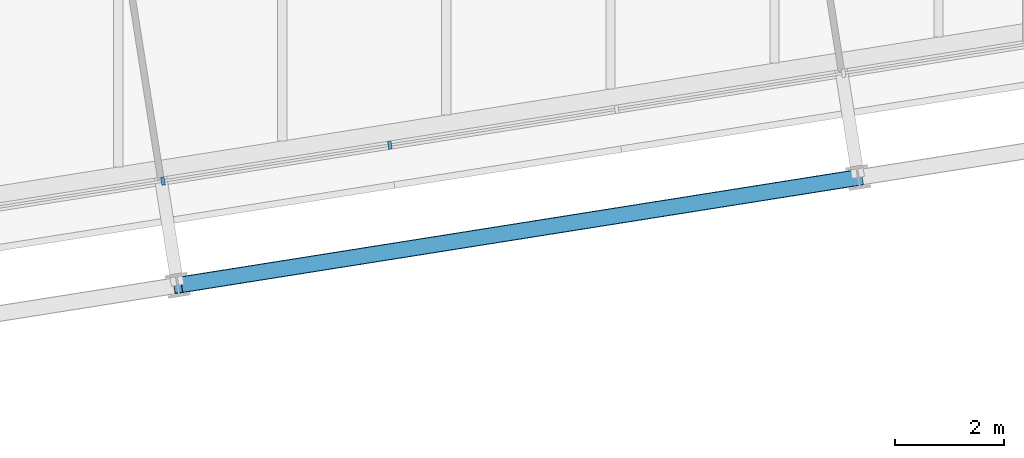
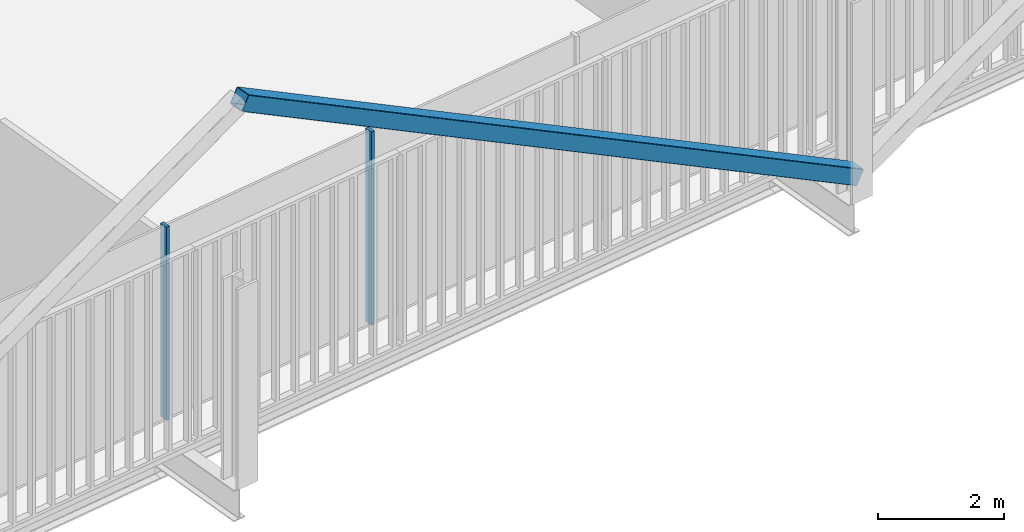
# One storey, part 3 of 21: 3 members, 1 element without a shape of its own.
"""IFC4 building model written with IfcOpenShell, lengths in metres."""

from ifc_helpers import new_model, si_unit, direction, frame, origin, origin_2d, place, context, subcontext, project, spatial, rectangle, hollow_rectangle, extrude, material, layer, layer_set, material_profile, profile_set, type_object, element, aggregate, save


model = new_model("IFC4")

# Units and contexts
model_context = context("Model", 3, precision=1e-05, world=origin(), true_north=direction((0.0, 1.0)))
body_context = subcontext(model_context, "Body", "Model", "MODEL_VIEW")
ifc_project = project(units=[si_unit("LENGTHUNIT", "METRE"), si_unit("AREAUNIT", "SQUARE_METRE"), si_unit("VOLUMEUNIT", "CUBIC_METRE"), si_unit("PLANEANGLEUNIT", "RADIAN"), si_unit("MASSUNIT", "GRAM", prefix="KILO")], contexts=[model_context])

# Site, building, storey
site_placement = place(None, origin())
site = spatial("IfcSite", under=ifc_project, at=site_placement, CompositionType="ELEMENT")
building_placement = place(site_placement, origin())
building = spatial("IfcBuilding", under=site, at=building_placement, Name="Millrace Tower", CompositionType="ELEMENT")
storey_placement = place(building_placement, frame((0.0, 0.0, 228.10009765625)))
storey = spatial("IfcBuildingStorey", under=building, at=storey_placement, Name="L52", CompositionType="ELEMENT", Elevation=228.10009765625)

# Curtain wall, members
ifc_material_1 = material(Name="Aluminium and glass", Category="aluminium")
ifc_layer = layer(ifc_material_1, 0.14990234375)
ifc_layer_set = layer_set([ifc_layer], Name="Aluminium and glass")
curtain_wall_type = type_object("IfcCurtainWallType", Name="CW-1 office vision curtain wall", PredefinedType="NOTDEFINED", material=ifc_layer_set)
curtain_wall_placement = place(storey_placement, origin())
curtain_wall = element("IfcCurtainWall", 1, at=curtain_wall_placement, inside=storey, type_object=curtain_wall_type, Name="Curtain wall D-F02 L52", PredefinedType="NOTDEFINED")
ifc_material_2 = material(Name="Aluminium", Category="aluminium")
ifc_material_profile_1 = material_profile(ifc_material_2, rectangle(XDim=0.06494140625, YDim=0.14990234375, at=origin_2d()))
ifc_profile_set_1 = profile_set([ifc_material_profile_1], Name="Aluminium")
member_type_1 = type_object("IfcMemberType", Name="CW-1 office vision curtain wall mullion", PredefinedType="MULLION", material=ifc_profile_set_1)
member_1_placement = place(storey_placement, frame((-5.1806640625, -19.021240234375, 0.139892578125), z_axis=(0.0, 0.0, 1.0), x_axis=(0.987688339511, 0.156434471884, 0.0)))
member_1 = element("IfcMember", 2, at=member_1_placement, type_object=member_type_1, Name="CW1 mullion D-F02.4", PredefinedType="MULLION", context=body_context, shape_type="SweptSolid", body=[
    extrude(rectangle(XDim=0.06494140625, YDim=0.14990234375, at=origin_2d()), origin(), (0.0, 0.0, 1.0), 3.760009765625),
])
member_2_placement = place(storey_placement, frame((-1.0322265625, -18.3642578125, 0.139892578125), z_axis=(0.0, 0.0, 1.0), x_axis=(0.987688339511, 0.156434471884, 0.0)))
member_2 = element("IfcMember", 3, at=member_2_placement, type_object=member_type_1, Name="CW1 mullion D-F02.5", PredefinedType="MULLION", context=body_context, shape_type="SweptSolid", body=[
    extrude(rectangle(XDim=0.06494140625, YDim=0.14990234375, at=origin_2d()), origin(), (0.0, 0.0, 1.0), 3.760009765625),
])
aggregate(curtain_wall, [member_1, member_2])

# Member
ifc_material_3 = material(Name="Steel ASTM A500 Grade C", Category="steel")
ifc_material_profile_2 = material_profile(ifc_material_3, hollow_rectangle(XDim=0.3046875, YDim=0.3046875, WallThickness=0.0126953125, InnerFilletRadius=0.00634765625, OuterFilletRadius=0.01904296875, at=origin_2d()))
ifc_profile_set_2 = profile_set([ifc_material_profile_2], Name="Steel ASTM A500 Grade C")
member_type_2 = type_object("IfcMemberType", Name="Exoskeleton brace HSS12x12x1/2", PredefinedType="BRACE", material=ifc_profile_set_2)
member_3_placement = place(storey_placement, frame((7.533203125, -18.956787109375, 0.39990234375), z_axis=(-0.863395126588, -0.136740080373, 0.485644937998), x_axis=(0.156425232058, -0.987689802912, 0.0)))
element("IfcMember", 4, at=member_3_placement, inside=storey, type_object=member_type_2, Name="BRC-D-L52-03", PredefinedType="BRACE", context=body_context, shape_type="SweptSolid", body=[
    extrude(hollow_rectangle(XDim=0.3046875, YDim=0.3046875, WallThickness=0.0126953125, InnerFilletRadius=0.00634765625, OuterFilletRadius=0.01904296875, at=origin_2d()), origin(), (0.0, 0.0, 1.0), 14.413818359375),
])

save(model, "model.ifc")
